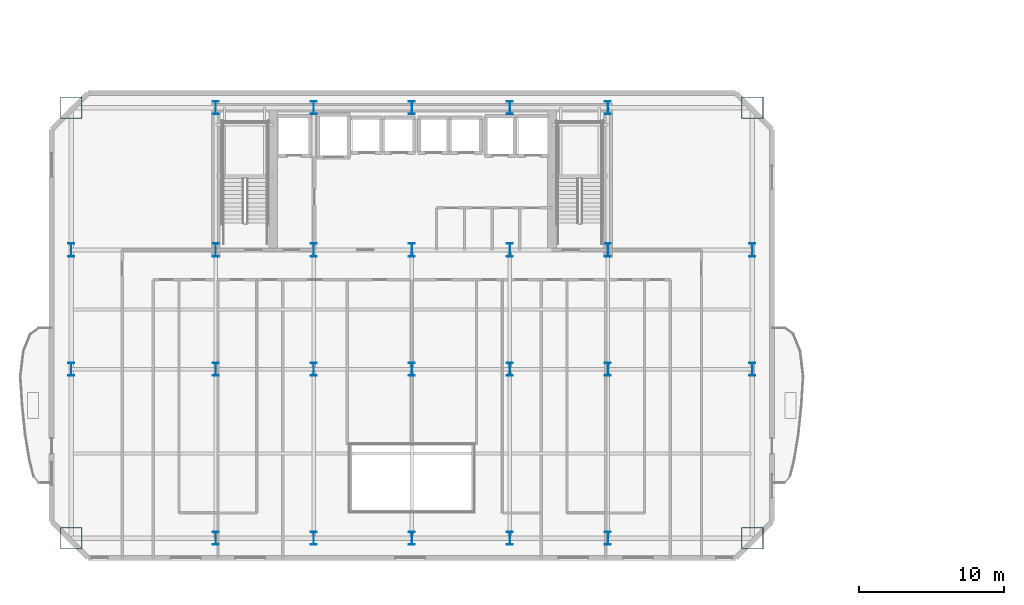
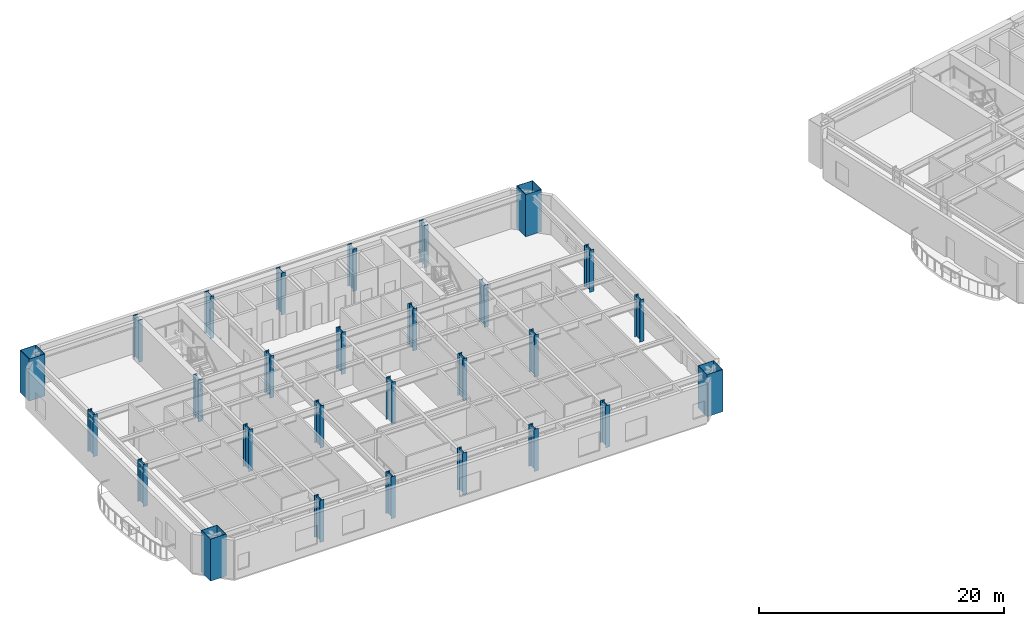
# One storey, part 1 of 15: 28 columns.
"""IFC4 building model written with IfcOpenShell, lengths in metres."""

from ifc_helpers import new_model, si_unit, direction, frame, origin, origin_2d, place, context, subcontext, project, spatial, hollow_rectangle, i_section, extrude, material, material_profile, profile_set, type_object, element, save


model = new_model("IFC4")

# Units and contexts
model_context = context("Model", 3, precision=1e-05, world=origin(), true_north=direction((0.0, 1.0)))
body_context = subcontext(model_context, "Body", "Model", "MODEL_VIEW")
ifc_project = project(units=[si_unit("LENGTHUNIT", "METRE"), si_unit("AREAUNIT", "SQUARE_METRE"), si_unit("VOLUMEUNIT", "CUBIC_METRE"), si_unit("PLANEANGLEUNIT", "RADIAN"), si_unit("MASSUNIT", "GRAM", prefix="KILO")], contexts=[model_context])

# Site, building, storey
site_placement = place(None, origin())
site = spatial("IfcSite", under=ifc_project, at=site_placement, CompositionType="ELEMENT")
building_placement = place(site_placement, origin())
building = spatial("IfcBuilding", under=site, at=building_placement, Name="Haevon Station Towers", CompositionType="ELEMENT")
storey_placement = place(building_placement, frame((0.0, 0.0, 77.699951171875)))
storey = spatial("IfcBuildingStorey", under=building, at=storey_placement, Name="L20", CompositionType="ELEMENT", Elevation=77.699951171875)

# Columns
ifc_material = material(Name="Steel S460", Category="steel")
ifc_material_profile_1 = material_profile(ifc_material, hollow_rectangle(XDim=1.5, YDim=1.5, WallThickness=0.0400390625, at=origin_2d()), Name="BOX-1500x1500x40")
ifc_profile_set_1 = profile_set([ifc_material_profile_1], Name="Steel S460")
column_type_1 = type_object("IfcColumnType", Name="COL-MC2", PredefinedType="COLUMN", material=ifc_profile_set_1)
for number, where, z_axis, x_axis, name in (
    (1, (14.050048828125, 18.35009765625, 0.0), (0.0, 0.0, 1.0), (1.0, 0.0, 0.0), "COL-T1-L20-01-01"),
    (2, (14.050048828125, 48.0, 0.0), (0.0, 0.0, 1.0), (1.0, 0.0, 0.0), "COL-T1-L20-01-04"),
    (3, (60.949951171875, 18.35009765625, 0.0), (0.0, 0.0, 1.0), (1.0, 0.0, 0.0), "COL-T1-L20-07-01"),
    (4, (60.949951171875, 48.0, 0.0), (0.0, 0.0, 1.0), (1.0, 0.0, 0.0), "COL-T1-L20-07-04"),
):
    element("IfcColumn", number, at=place(storey_placement, frame(where, z_axis=z_axis, x_axis=x_axis)), inside=storey, type_object=column_type_1, Name=name, PredefinedType="COLUMN", context=body_context, shape_type="SweptSolid", body=[
        extrude(hollow_rectangle(XDim=1.5, YDim=1.5, WallThickness=0.0400390625, at=origin_2d()), origin(), (0.0, 0.0, 1.0), 4.199951171875),
    ])
ifc_material_profile_2 = material_profile(ifc_material, i_section(OverallWidth=0.39990234375, OverallDepth=0.89990234375, WebThickness=0.02001953125, FlangeThickness=0.035888671875, at=origin_2d()), Name="H-900x400x20x36")
ifc_profile_set_2 = profile_set([ifc_material_profile_2], Name="Steel S460")
column_type_2 = type_object("IfcColumnType", Name="COL-TW1", PredefinedType="COLUMN", material=ifc_profile_set_2)
for number, where, z_axis, x_axis, name in (
    (5, (14.050048828125, 30.0, 0.0), (0.0, 0.0, 1.0), (1.0, 0.0, 0.0), "COL-T1-L20-01-02"),
    (6, (14.050048828125, 38.199951171875, 0.0), (0.0, 0.0, 1.0), (1.0, 0.0, 0.0), "COL-T1-L20-01-03"),
    (7, (24.0, 18.35009765625, 0.0), (0.0, 0.0, 1.0), (1.0, 0.0, 0.0), "COL-T1-L20-02-01"),
    (8, (24.0, 30.0, 0.0), (0.0, 0.0, 1.0), (1.0, 0.0, 0.0), "COL-T1-L20-02-02"),
    (9, (24.0, 38.199951171875, 0.0), (0.0, 0.0, 1.0), (1.0, 0.0, 0.0), "COL-T1-L20-02-03"),
    (10, (24.0, 48.0, 0.0), (0.0, 0.0, 1.0), (1.0, 0.0, 0.0), "COL-T1-L20-02-04"),
    (11, (30.75, 18.35009765625, 0.0), (0.0, 0.0, 1.0), (1.0, 0.0, 0.0), "COL-T1-L20-03-01"),
    (12, (30.75, 30.0, 0.0), (0.0, 0.0, 1.0), (1.0, 0.0, 0.0), "COL-T1-L20-03-02"),
    (13, (30.75, 38.199951171875, 0.0), (0.0, 0.0, 1.0), (1.0, 0.0, 0.0), "COL-T1-L20-03-03"),
    (14, (30.75, 48.0, 0.0), (0.0, 0.0, 1.0), (1.0, 0.0, 0.0), "COL-T1-L20-03-04"),
    (15, (37.5, 18.35009765625, 0.0), (0.0, 0.0, 1.0), (1.0, 0.0, 0.0), "COL-T1-L20-04-01"),
    (16, (37.5, 30.0, 0.0), (0.0, 0.0, 1.0), (1.0, 0.0, 0.0), "COL-T1-L20-04-02"),
    (17, (37.5, 38.199951171875, 0.0), (0.0, 0.0, 1.0), (1.0, 0.0, 0.0), "COL-T1-L20-04-03"),
    (18, (37.5, 48.0, 0.0), (0.0, 0.0, 1.0), (1.0, 0.0, 0.0), "COL-T1-L20-04-04"),
    (19, (44.25, 18.35009765625, 0.0), (0.0, 0.0, 1.0), (1.0, 0.0, 0.0), "COL-T1-L20-05-01"),
    (20, (44.25, 30.0, 0.0), (0.0, 0.0, 1.0), (1.0, 0.0, 0.0), "COL-T1-L20-05-02"),
    (21, (44.25, 38.199951171875, 0.0), (0.0, 0.0, 1.0), (1.0, 0.0, 0.0), "COL-T1-L20-05-03"),
    (22, (44.25, 48.0, 0.0), (0.0, 0.0, 1.0), (1.0, 0.0, 0.0), "COL-T1-L20-05-04"),
    (23, (51.0, 18.35009765625, 0.0), (0.0, 0.0, 1.0), (1.0, 0.0, 0.0), "COL-T1-L20-06-01"),
    (24, (51.0, 30.0, 0.0), (0.0, 0.0, 1.0), (1.0, 0.0, 0.0), "COL-T1-L20-06-02"),
    (25, (51.0, 38.199951171875, 0.0), (0.0, 0.0, 1.0), (1.0, 0.0, 0.0), "COL-T1-L20-06-03"),
    (26, (51.0, 48.0, 0.0), (0.0, 0.0, 1.0), (1.0, 0.0, 0.0), "COL-T1-L20-06-04"),
    (27, (60.949951171875, 30.0, 0.0), (0.0, 0.0, 1.0), (1.0, 0.0, 0.0), "COL-T1-L20-07-02"),
    (28, (60.949951171875, 38.199951171875, 0.0), (0.0, 0.0, 1.0), (1.0, 0.0, 0.0), "COL-T1-L20-07-03"),
):
    element("IfcColumn", number, at=place(storey_placement, frame(where, z_axis=z_axis, x_axis=x_axis)), inside=storey, type_object=column_type_2, Name=name, PredefinedType="COLUMN", context=body_context, shape_type="SweptSolid", body=[
        extrude(i_section(OverallWidth=0.39990234375, OverallDepth=0.89990234375, WebThickness=0.02001953125, FlangeThickness=0.035888671875, at=origin_2d()), origin(), (0.0, 0.0, 1.0), 4.199951171875),
    ])

save(model, "model.ifc")
